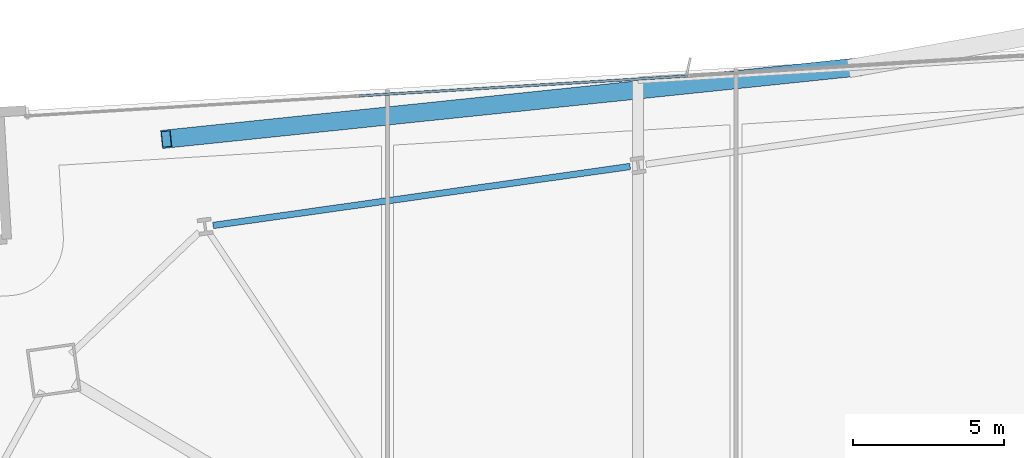
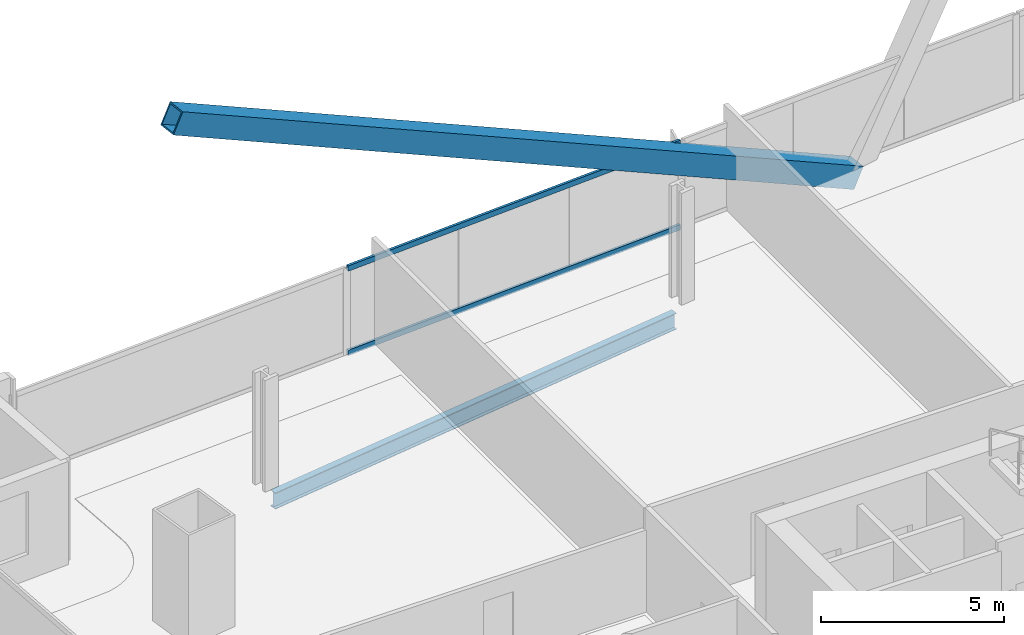
# One storey, part 19 of 34: 3 members, 1 beam, 1 element without a shape of its own.
"""IFC4 building model written with IfcOpenShell, lengths in metres."""

from ifc_helpers import new_model, si_unit, direction, frame, origin, origin_2d, place, context, subcontext, project, spatial, hollow_rectangle, i_section, extrude, material, material_profile, profile_set, type_object, element, aggregate, save


model = new_model("IFC4")

# Units and contexts
model_context = context("Model", 3, precision=1e-05, world=origin(), true_north=direction((0.0, 1.0)))
body_context = subcontext(model_context, "Body", "Model", "MODEL_VIEW")
ifc_project = project(units=[si_unit("LENGTHUNIT", "METRE"), si_unit("AREAUNIT", "SQUARE_METRE"), si_unit("VOLUMEUNIT", "CUBIC_METRE"), si_unit("PLANEANGLEUNIT", "RADIAN"), si_unit("MASSUNIT", "GRAM", prefix="KILO")], contexts=[model_context])

# Site, building, storey
site_placement = place(None, origin())
site = spatial("IfcSite", under=ifc_project, at=site_placement, CompositionType="ELEMENT")
building_placement = place(site_placement, origin())
building = spatial("IfcBuilding", under=site, at=building_placement, Name="Haldenkirk Collegiate Tower", CompositionType="ELEMENT")
storey_placement = place(building_placement, frame((0.0, 0.0, 40.199951171875)))
storey = spatial("IfcBuildingStorey", under=building, at=storey_placement, Name="L08", CompositionType="ELEMENT", Elevation=40.199951171875)

# Beam
ifc_material_1 = material(Name="Steel ASTM A992 Grade 50", Category="steel")
ifc_material_profile_1 = material_profile(ifc_material_1, i_section(OverallWidth=0.2119140625, OverallDepth=0.5439453125, WebThickness=0.01318359375, FlangeThickness=0.021240234375, at=origin_2d()), Name="W21X83")
ifc_profile_set_1 = profile_set([ifc_material_profile_1], Name="Steel ASTM A992 Grade 50")
beam_type = type_object("IfcBeamType", Name="BM-SPANDREL-W21X83", PredefinedType="SPANDREL", material=ifc_profile_set_1)
beam_placement = place(storey_placement, frame((32.51025390625, 48.785888671875, -0.58203125), z_axis=(-0.990146197746, -0.14003752029, 0.0), x_axis=(0.14003752029, -0.990146197746, 0.0)))
element("IfcBeam", 1, at=beam_placement, inside=storey, type_object=beam_type, Name="L08 perimeter spandrel beam 11", PredefinedType="SPANDREL", context=body_context, shape_type="SweptSolid", body=[
    extrude(i_section(OverallWidth=0.2119140625, OverallDepth=0.5439453125, WebThickness=0.01318359375, FlangeThickness=0.021240234375, at=origin_2d()), origin(), (0.0, 0.0, 1.0), 13.906982421875),
])

# Curtain wall, members
ifc_material_2 = material(Name="Anodised architectural bronze aluminium", Category="aluminium")
curtain_wall_type = type_object("IfcCurtainWallType", Name="CW-SYS1-CONVEX-LOW", PredefinedType="USERDEFINED", material=ifc_material_2)
curtain_wall_placement = place(storey_placement, origin())
curtain_wall = element("IfcCurtainWall", 2, at=curtain_wall_placement, inside=storey, type_object=curtain_wall_type, Name="L08 Lower tower convex bronze-framed unitised curtain wall", ObjectType="UNITISED CURTAIN WALL", PredefinedType="USERDEFINED")
ifc_material_profile_2 = material_profile(ifc_material_2, hollow_rectangle(XDim=0.080078125, YDim=0.179931640625, WallThickness=0.0048828125, at=origin_2d()), Name="CW-TRN-1A")
ifc_profile_set_2 = profile_set([ifc_material_profile_2], Name="Anodised architectural bronze aluminium")
member_type_1 = type_object("IfcMemberType", Name="CW-TRN-1A", PredefinedType="USERDEFINED", material=ifc_profile_set_2)
member_1_placement = place(storey_placement, frame((23.555908203125, 51.11669921875, 0.0400390625), z_axis=(0.998188129641, 0.060170240517, 0.0), x_axis=(-0.060170240517, 0.998188129641, 0.0)))
member_1 = element("IfcMember", 3, at=member_1_placement, type_object=member_type_1, Name="CW-1A transom 2.1", ObjectType="TRANSOM", PredefinedType="USERDEFINED", context=body_context, shape_type="SweptSolid", body=[
    extrude(hollow_rectangle(XDim=0.080078125, YDim=0.179931640625, WallThickness=0.0048828125, at=origin_2d()), origin(), (0.0, 0.0, 1.0), 10.8701171875),
])
member_2_placement = place(storey_placement, frame((23.555908203125, 51.11669921875, 2.85107421875), z_axis=(0.998188129641, 0.060170240517, 0.0), x_axis=(-0.060170240517, 0.998188129641, 0.0)))
member_2 = element("IfcMember", 4, at=member_2_placement, type_object=member_type_1, Name="CW-1A transom 2.2", ObjectType="TRANSOM", PredefinedType="USERDEFINED", context=body_context, shape_type="SweptSolid", body=[
    extrude(hollow_rectangle(XDim=0.080078125, YDim=0.179931640625, WallThickness=0.0048828125, at=origin_2d()), origin(), (0.0, 0.0, 1.0), 10.8701171875),
])
aggregate(curtain_wall, [member_1, member_2])

# Member
ifc_material_3 = material(Name="Steel ASTM A572 Grade 50", Category="steel")
ifc_material_profile_3 = material_profile(ifc_material_3, hollow_rectangle(XDim=0.60009765625, YDim=0.719970703125, WallThickness=0.044921875, at=origin_2d()), Name="BOX720X600X45")
ifc_profile_set_3 = profile_set([ifc_material_profile_3], Name="Steel ASTM A572 Grade 50")
member_type_2 = type_object("IfcMemberType", Name="MBR-MEGABRACE-BOX720X600X45", PredefinedType="BRACE", material=ifc_profile_set_3)
member_3_placement = place(storey_placement, frame((40.02099609375, 52.069091796875, -0.320068359375), z_axis=(-0.893070814501, -0.09298880376, 0.440201774942), x_axis=(0.103562668259, -0.994622930433, 0.0)))
element("IfcMember", 5, at=member_3_placement, inside=storey, type_object=member_type_2, Name="Perimeter Mega Brace Z1 L08-L10 NR", PredefinedType="BRACE", context=body_context, shape_type="SweptSolid", body=[
    extrude(hollow_rectangle(XDim=0.60009765625, YDim=0.719970703125, WallThickness=0.044921875, at=origin_2d()), origin(), (0.0, 0.0, 1.0), 25.556396484375),
])

save(model, "model.ifc")
